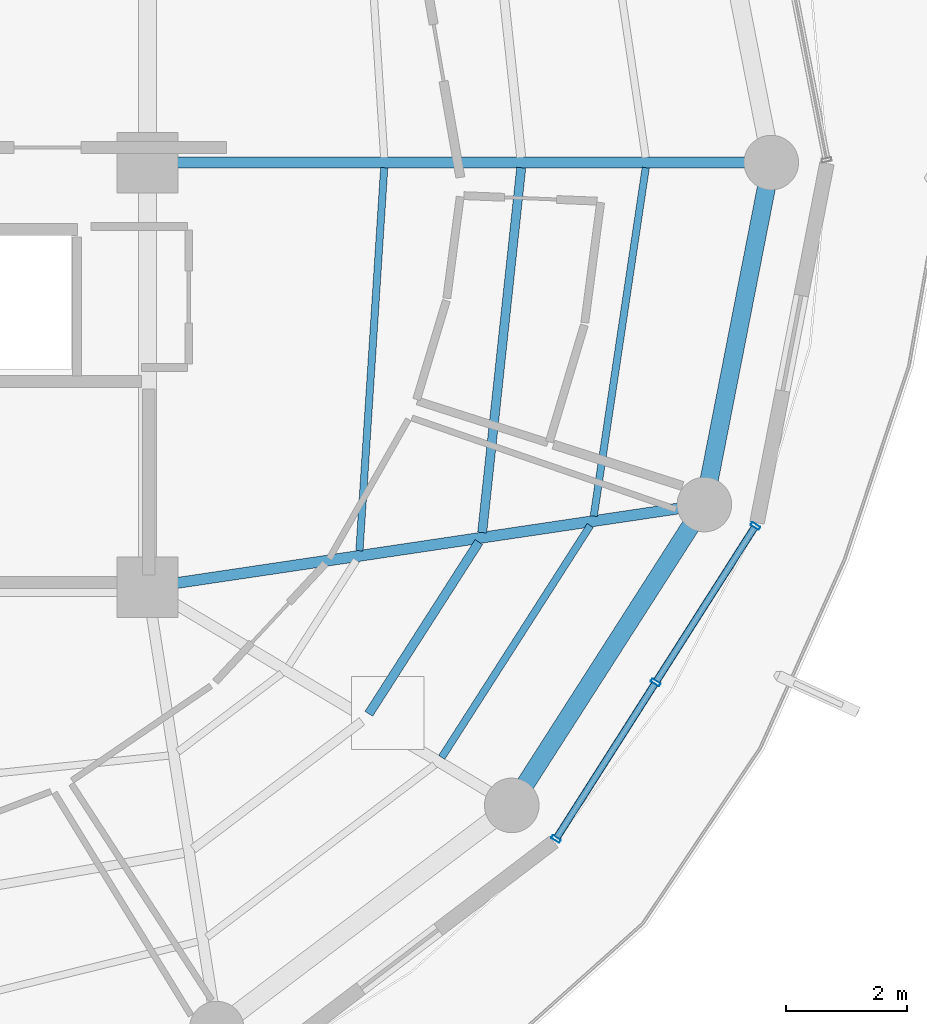
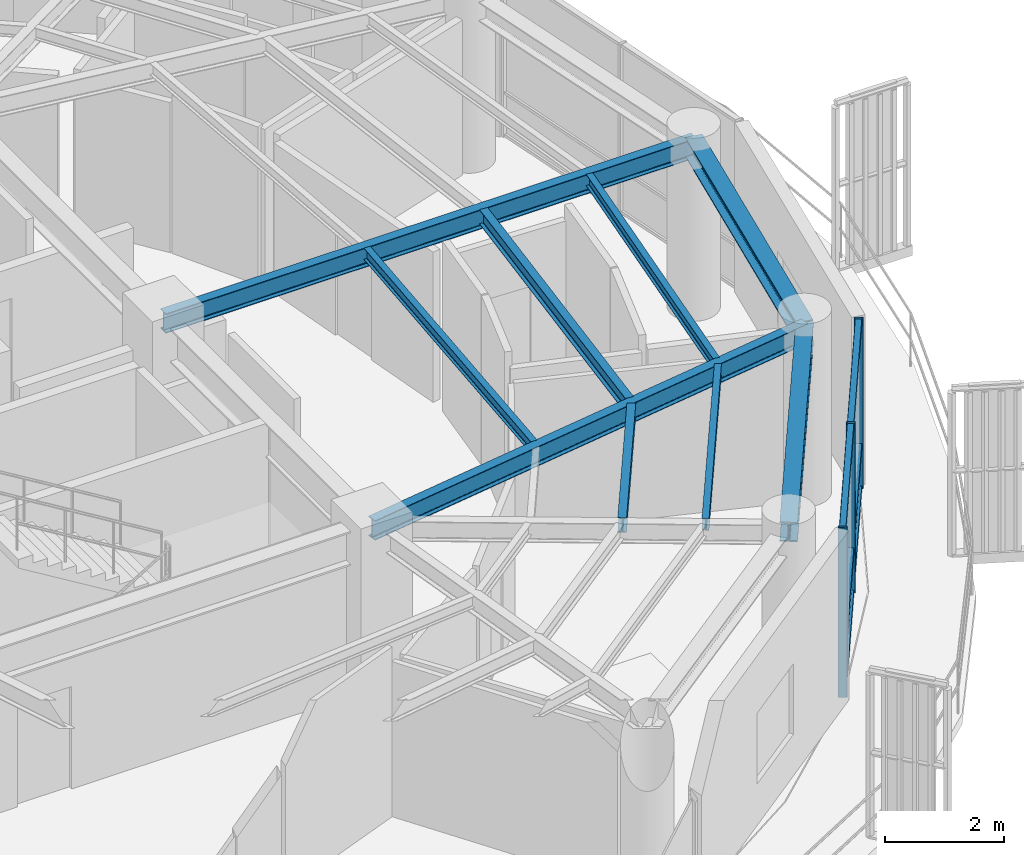
# One storey, part 9 of 22: 9 beams, 9 members, 1 element without a shape of its own.
"""IFC4 building model written with IfcOpenShell, lengths in metres."""

from ifc_helpers import new_model, si_unit, direction, frame, origin, origin_2d, place, context, subcontext, project, spatial, hollow_rectangle, i_section, extrude, material, layer, layer_set, material_profile, profile_set, type_object, element, aggregate, save


model = new_model("IFC4")

# Units and contexts
model_context = context("Model", 3, precision=1e-05, world=origin(), true_north=direction((0.0, 1.0)))
body_context = subcontext(model_context, "Body", "Model", "MODEL_VIEW")
ifc_project = project(units=[si_unit("LENGTHUNIT", "METRE"), si_unit("AREAUNIT", "SQUARE_METRE"), si_unit("VOLUMEUNIT", "CUBIC_METRE"), si_unit("PLANEANGLEUNIT", "RADIAN"), si_unit("MASSUNIT", "GRAM", prefix="KILO")], contexts=[model_context])

# Site, building, storey
site_placement = place(None, origin())
site = spatial("IfcSite", under=ifc_project, at=site_placement, CompositionType="ELEMENT")
building_placement = place(site_placement, origin())
building = spatial("IfcBuilding", under=site, at=building_placement, Name="Kelanora Arch Commons", CompositionType="ELEMENT")
storey_placement = place(building_placement, frame((0.0, 0.0, 267.449951171875)))
storey = spatial("IfcBuildingStorey", under=building, at=storey_placement, Name="L68", CompositionType="ELEMENT", Elevation=267.449951171875)

# Beams
ifc_material_1 = material(Name="Steel S355", Category="steel")
ifc_material_profile_1 = material_profile(ifc_material_1, i_section(OverallWidth=0.14990234375, OverallDepth=0.300048828125, WebThickness=0.007080078125, FlangeThickness=0.0107421875, FilletRadius=0.014892578125, at=origin_2d()), Name="IPE300")
ifc_profile_set_1 = profile_set([ifc_material_profile_1], Name="Steel S355")
beam_type_1 = type_object("IfcBeamType", Name="BM-JST-01", PredefinedType="JOIST", material=ifc_profile_set_1)
beam_1_placement = place(storey_placement, frame((85.647705078125, 48.915771484375, 3.340087890625), z_axis=(0.539321586177, 0.842099891155, 0.0), x_axis=(-0.842099891155, 0.539321586177, 0.0)))
element("IfcBeam", 1, at=beam_1_placement, inside=storey, type_object=beam_type_1, Name="Secondary Chord Joist BJB-32 L68", PredefinedType="JOIST", context=body_context, shape_type="SweptSolid", body=[
    extrude(i_section(OverallWidth=0.14990234375, OverallDepth=0.300048828125, WebThickness=0.007080078125, FlangeThickness=0.0107421875, FilletRadius=0.014892578125, at=origin_2d()), origin(), (0.0, 0.0, 1.0), 3.361572265625),
])
beam_2_placement = place(storey_placement, frame((87.515625, 51.902587890625, 3.340087890625), z_axis=(0.106380594087, 0.994325484538, 0.0), x_axis=(-0.994325484538, 0.106380594087, 0.0)))
element("IfcBeam", 2, at=beam_2_placement, inside=storey, type_object=beam_type_1, Name="Secondary Chord Joist BJB-34 L68", PredefinedType="JOIST", context=body_context, shape_type="SweptSolid", body=[
    extrude(i_section(OverallWidth=0.14990234375, OverallDepth=0.300048828125, WebThickness=0.007080078125, FlangeThickness=0.0107421875, FilletRadius=0.014892578125, at=origin_2d()), origin(), (0.0, 0.0, 1.0), 6.04736328125),
])
ifc_material_profile_2 = material_profile(ifc_material_1, i_section(OverallWidth=0.1201171875, OverallDepth=0.239990234375, WebThickness=0.006103515625, FlangeThickness=0.009765625, FilletRadius=0.014892578125, at=origin_2d()), Name="IPE240")
ifc_profile_set_2 = profile_set([ifc_material_profile_2], Name="Steel S355")
beam_type_2 = type_object("IfcBeamType", Name="BM-JST-02", PredefinedType="JOIST", material=ifc_profile_set_2)
beam_3_placement = place(storey_placement, frame((86.848388671875, 48.197021484375, 3.3701171875), z_axis=(0.539288735289, 0.842120929552, 0.0), x_axis=(-0.842120929552, 0.539288735289, 0.0)))
element("IfcBeam", 3, at=beam_3_placement, inside=storey, type_object=beam_type_2, Name="Secondary Chord Joist BJC-32 L68", PredefinedType="JOIST", context=body_context, shape_type="SweptSolid", body=[
    extrude(i_section(OverallWidth=0.1201171875, OverallDepth=0.239990234375, WebThickness=0.006103515625, FlangeThickness=0.009765625, FilletRadius=0.014892578125, at=origin_2d()), origin(), (0.0, 0.0, 1.0), 4.538818359375),
])
beam_4_placement = place(storey_placement, frame((85.492919921875, 51.60302734375, 3.3701171875), z_axis=(0.064495107978, 0.99791802321, 0.0), x_axis=(-0.99791802321, 0.064495107978, 0.0)))
element("IfcBeam", 4, at=beam_4_placement, inside=storey, type_object=beam_type_2, Name="Secondary Chord Joist BJA-34 L68", PredefinedType="JOIST", context=body_context, shape_type="SweptSolid", body=[
    extrude(i_section(OverallWidth=0.1201171875, OverallDepth=0.239990234375, WebThickness=0.006103515625, FlangeThickness=0.009765625, FilletRadius=0.014892578125, at=origin_2d()), origin(), (0.0, 0.0, 1.0), 6.325439453125),
])
beam_5_placement = place(storey_placement, frame((89.3544921875, 52.1748046875, 3.3701171875), z_axis=(0.14762470282, 0.989043450571, 0.0), x_axis=(-0.989043450571, 0.14762470282, 0.0)))
element("IfcBeam", 5, at=beam_5_placement, inside=storey, type_object=beam_type_2, Name="Secondary Chord Joist BJC-34 L68", PredefinedType="JOIST", context=body_context, shape_type="SweptSolid", body=[
    extrude(i_section(OverallWidth=0.1201171875, OverallDepth=0.239990234375, WebThickness=0.006103515625, FlangeThickness=0.009765625, FilletRadius=0.014892578125, at=origin_2d()), origin(), (0.0, 0.0, 1.0), 5.804931640625),
])
ifc_material_profile_3 = material_profile(ifc_material_1, i_section(OverallWidth=0.179931640625, OverallDepth=0.39990234375, WebThickness=0.008544921875, FlangeThickness=0.013427734375, FilletRadius=0.02099609375, at=origin_2d()), Name="IPE400")
ifc_profile_set_3 = profile_set([ifc_material_profile_3], Name="Steel S355")
beam_type_3 = type_object("IfcBeamType", Name="BM-RAD-Z5", PredefinedType="BEAM", material=ifc_profile_set_3)
beam_6_placement = place(storey_placement, frame((82.0, 58.0, 3.2900390625), z_axis=(1.0, 0.0, 0.0), x_axis=(0.0, 1.0, 0.0)))
element("IfcBeam", 6, at=beam_6_placement, inside=storey, type_object=beam_type_3, Name="Radial Floor Girder BR-00 L68", PredefinedType="BEAM", context=body_context, shape_type="SweptSolid", body=[
    extrude(i_section(OverallWidth=0.179931640625, OverallDepth=0.39990234375, WebThickness=0.008544921875, FlangeThickness=0.013427734375, FilletRadius=0.02099609375, at=origin_2d()), origin(), (0.0, 0.0, 1.0), 10.280029296875),
])
beam_7_placement = place(storey_placement, frame((82.0, 51.0, 3.2900390625), z_axis=(0.989142485564, 0.146959665395, 0.0), x_axis=(-0.146959665395, 0.989142485564, 0.0)))
element("IfcBeam", 7, at=beam_7_placement, inside=storey, type_object=beam_type_3, Name="Radial Floor Girder BR-34 L68", PredefinedType="BEAM", context=body_context, shape_type="SweptSolid", body=[
    extrude(i_section(OverallWidth=0.179931640625, OverallDepth=0.39990234375, WebThickness=0.008544921875, FlangeThickness=0.013427734375, FilletRadius=0.02099609375, at=origin_2d()), origin(), (0.0, 0.0, 1.0), 9.2783203125),
])
ifc_material_profile_4 = material_profile(ifc_material_1, i_section(OverallWidth=0.300048828125, OverallDepth=0.39990234375, WebThickness=0.013427734375, FlangeThickness=0.02392578125, FilletRadius=0.027099609375, at=origin_2d()), Name="HEB400")
ifc_profile_set_4 = profile_set([ifc_material_profile_4], Name="Steel S355")
beam_type_4 = type_object("IfcBeamType", Name="BM-SPN-Z4", PredefinedType="SPANDREL", material=ifc_profile_set_4)
beam_8_placement = place(storey_placement, frame((88.00341796875, 47.406982421875, 3.2900390625), z_axis=(0.539280851353, 0.842125978322, 0.0), x_axis=(-0.842125978322, 0.539280851353, 0.0)))
element("IfcBeam", 8, at=beam_8_placement, inside=storey, type_object=beam_type_4, Name="Perimeter Spandrel Beam BS-32 L68", PredefinedType="SPANDREL", context=body_context, shape_type="SweptSolid", body=[
    extrude(i_section(OverallWidth=0.300048828125, OverallDepth=0.39990234375, WebThickness=0.013427734375, FlangeThickness=0.02392578125, FilletRadius=0.027099609375, at=origin_2d()), origin(), (0.0, 0.0, 1.0), 5.8857421875),
])
beam_9_placement = place(storey_placement, frame((91.177490234375, 52.363525390625, 3.2900390625), z_axis=(0.191969774604, 0.981400838413, 0.0), x_axis=(-0.981400838413, 0.191969774604, 0.0)))
element("IfcBeam", 9, at=beam_9_placement, inside=storey, type_object=beam_type_4, Name="Perimeter Spandrel Beam BS-34 L68", PredefinedType="SPANDREL", context=body_context, shape_type="SweptSolid", body=[
    extrude(i_section(OverallWidth=0.300048828125, OverallDepth=0.39990234375, WebThickness=0.013427734375, FlangeThickness=0.02392578125, FilletRadius=0.027099609375, at=origin_2d()), origin(), (0.0, 0.0, 1.0), 5.743408203125),
])

# Curtain wall, members
ifc_material_2 = material(Name="Terracotta ceramic-fritted low-E glass and aluminium", Category="masonry")
ifc_layer = layer(ifc_material_2, 0.18994140625)
ifc_layer_set = layer_set([ifc_layer], Name="Terracotta ceramic-fritted low-E glass and aluminium")
curtain_wall_type = type_object("IfcCurtainWallType", Name="CW-SYS-03", PredefinedType="NOTDEFINED", material=ifc_layer_set)
curtain_wall_placement = place(storey_placement, origin())
curtain_wall = element("IfcCurtainWall", 10, at=curtain_wall_placement, inside=storey, type_object=curtain_wall_type, Name="Unitised Curtain Wall L68-B16", PredefinedType="NOTDEFINED")
ifc_material_3 = material(Name="Powder-coated aluminium terracotta", Category="masonry")
ifc_material_profile_5 = material_profile(ifc_material_3, hollow_rectangle(XDim=0.159912109375, YDim=0.06005859375, WallThickness=0.0048828125, InnerFilletRadius=0.0048828125, OuterFilletRadius=0.010009765625, at=origin_2d()), Name="CWM160x60")
ifc_profile_set_5 = profile_set([ifc_material_profile_5], Name="Powder-coated aluminium terracotta")
member_type_1 = type_object("IfcMemberType", Name="CWM-STD", PredefinedType="MULLION", material=ifc_profile_set_5)
member_1_placement = place(storey_placement, frame((88.732421875, 46.853515625, 0.0), z_axis=(0.0, 0.0, 1.0), x_axis=(-0.843391314545, 0.537299814397, 0.0)))
member_1 = element("IfcMember", 11, at=member_1_placement, type_object=member_type_1, Name="CW-03 mullion 1", PredefinedType="MULLION", context=body_context, shape_type="SweptSolid", body=[
    extrude(hollow_rectangle(XDim=0.159912109375, YDim=0.06005859375, WallThickness=0.0048828125, InnerFilletRadius=0.0048828125, OuterFilletRadius=0.010009765625, at=origin_2d()), origin(), (0.0, 0.0, 1.0), 3.47509765625),
])
member_2_placement = place(storey_placement, frame((90.375, 49.43212890625, 0.0), z_axis=(0.0, 0.0, 1.0), x_axis=(-0.843391314545, 0.537299814397, 0.0)))
member_2 = element("IfcMember", 12, at=member_2_placement, type_object=member_type_1, Name="CW-03 mullion 2", PredefinedType="MULLION", context=body_context, shape_type="SweptSolid", body=[
    extrude(hollow_rectangle(XDim=0.159912109375, YDim=0.06005859375, WallThickness=0.0048828125, InnerFilletRadius=0.0048828125, OuterFilletRadius=0.010009765625, at=origin_2d()), origin(), (0.0, 0.0, 1.0), 3.47509765625),
])
member_3_placement = place(storey_placement, frame((92.017822265625, 52.0107421875, 0.0), z_axis=(0.0, 0.0, 1.0), x_axis=(-0.843391314545, 0.537299814397, 0.0)))
member_3 = element("IfcMember", 13, at=member_3_placement, type_object=member_type_1, Name="CW-03 mullion 3", PredefinedType="MULLION", context=body_context, shape_type="SweptSolid", body=[
    extrude(hollow_rectangle(XDim=0.159912109375, YDim=0.06005859375, WallThickness=0.0048828125, InnerFilletRadius=0.0048828125, OuterFilletRadius=0.010009765625, at=origin_2d()), origin(), (0.0, 0.0, 1.0), 3.47509765625),
])
ifc_material_profile_6 = material_profile(ifc_material_3, hollow_rectangle(XDim=0.1201171875, YDim=0.06005859375, WallThickness=0.0048828125, InnerFilletRadius=0.0048828125, OuterFilletRadius=0.010009765625, at=origin_2d()), Name="CWT120x60")
ifc_profile_set_6 = profile_set([ifc_material_profile_6], Name="Powder-coated aluminium terracotta")
member_type_2 = type_object("IfcMemberType", Name="CWT-STD", PredefinedType="USERDEFINED", material=ifc_profile_set_6)
member_4_placement = place(storey_placement, frame((88.74853515625, 46.87890625, 0.030029296875), z_axis=(0.537286543791, 0.84339976871, 0.0), x_axis=(-0.84339976871, 0.537286543791, 0.0)))
member_4 = element("IfcMember", 14, at=member_4_placement, type_object=member_type_2, Name="CW-03 transom 1.1", ObjectType="TRANSOM", PredefinedType="USERDEFINED", context=body_context, shape_type="SweptSolid", body=[
    extrude(hollow_rectangle(XDim=0.1201171875, YDim=0.06005859375, WallThickness=0.0048828125, InnerFilletRadius=0.0048828125, OuterFilletRadius=0.010009765625, at=origin_2d()), origin(), (0.0, 0.0, 1.0), 2.997314453125),
])
member_5_placement = place(storey_placement, frame((88.74853515625, 46.87890625, 0.900146484375), z_axis=(0.537286543791, 0.84339976871, 0.0), x_axis=(-0.84339976871, 0.537286543791, 0.0)))
member_5 = element("IfcMember", 15, at=member_5_placement, type_object=member_type_2, Name="CW-03 transom 1.2", ObjectType="TRANSOM", PredefinedType="USERDEFINED", context=body_context, shape_type="SweptSolid", body=[
    extrude(hollow_rectangle(XDim=0.1201171875, YDim=0.06005859375, WallThickness=0.0048828125, InnerFilletRadius=0.0048828125, OuterFilletRadius=0.010009765625, at=origin_2d()), origin(), (0.0, 0.0, 1.0), 2.997314453125),
])
member_6_placement = place(storey_placement, frame((88.74853515625, 46.87890625, 3.445068359375), z_axis=(0.537286543791, 0.84339976871, 0.0), x_axis=(-0.84339976871, 0.537286543791, 0.0)))
member_6 = element("IfcMember", 16, at=member_6_placement, type_object=member_type_2, Name="CW-03 transom 1.3", ObjectType="TRANSOM", PredefinedType="USERDEFINED", context=body_context, shape_type="SweptSolid", body=[
    extrude(hollow_rectangle(XDim=0.1201171875, YDim=0.06005859375, WallThickness=0.0048828125, InnerFilletRadius=0.0048828125, OuterFilletRadius=0.010009765625, at=origin_2d()), origin(), (0.0, 0.0, 1.0), 2.997314453125),
])
member_7_placement = place(storey_placement, frame((90.39111328125, 49.45751953125, 0.030029296875), z_axis=(0.537307571338, 0.843386372775, 0.0), x_axis=(-0.843386372775, 0.537307571338, 0.0)))
member_7 = element("IfcMember", 17, at=member_7_placement, type_object=member_type_2, Name="CW-03 transom 2.1", ObjectType="TRANSOM", PredefinedType="USERDEFINED", context=body_context, shape_type="SweptSolid", body=[
    extrude(hollow_rectangle(XDim=0.1201171875, YDim=0.06005859375, WallThickness=0.0048828125, InnerFilletRadius=0.0048828125, OuterFilletRadius=0.010009765625, at=origin_2d()), origin(), (0.0, 0.0, 1.0), 2.99755859375),
])
member_8_placement = place(storey_placement, frame((90.39111328125, 49.45751953125, 0.900146484375), z_axis=(0.537307571338, 0.843386372775, 0.0), x_axis=(-0.843386372775, 0.537307571338, 0.0)))
member_8 = element("IfcMember", 18, at=member_8_placement, type_object=member_type_2, Name="CW-03 transom 2.2", ObjectType="TRANSOM", PredefinedType="USERDEFINED", context=body_context, shape_type="SweptSolid", body=[
    extrude(hollow_rectangle(XDim=0.1201171875, YDim=0.06005859375, WallThickness=0.0048828125, InnerFilletRadius=0.0048828125, OuterFilletRadius=0.010009765625, at=origin_2d()), origin(), (0.0, 0.0, 1.0), 2.99755859375),
])
member_9_placement = place(storey_placement, frame((90.39111328125, 49.45751953125, 3.445068359375), z_axis=(0.537307571338, 0.843386372775, 0.0), x_axis=(-0.843386372775, 0.537307571338, 0.0)))
member_9 = element("IfcMember", 19, at=member_9_placement, type_object=member_type_2, Name="CW-03 transom 2.3", ObjectType="TRANSOM", PredefinedType="USERDEFINED", context=body_context, shape_type="SweptSolid", body=[
    extrude(hollow_rectangle(XDim=0.1201171875, YDim=0.06005859375, WallThickness=0.0048828125, InnerFilletRadius=0.0048828125, OuterFilletRadius=0.010009765625, at=origin_2d()), origin(), (0.0, 0.0, 1.0), 2.99755859375),
])
aggregate(curtain_wall, [member_1, member_2, member_3, member_4, member_5, member_6, member_7, member_8, member_9])

save(model, "model.ifc")
